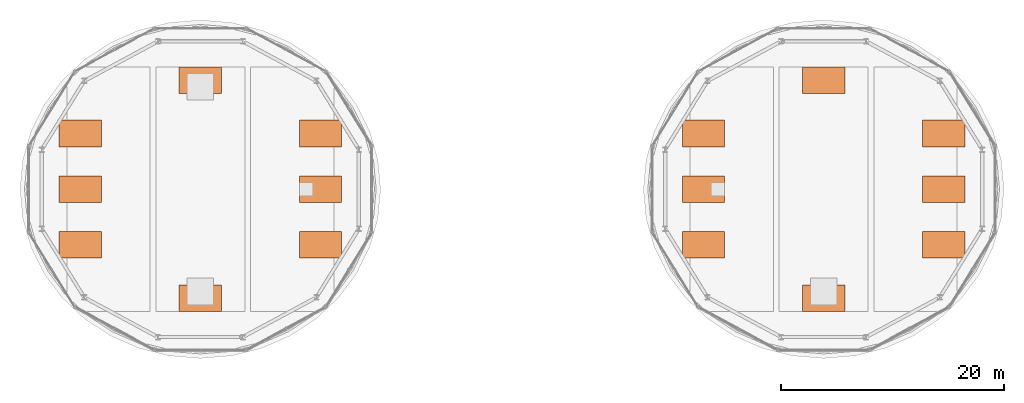
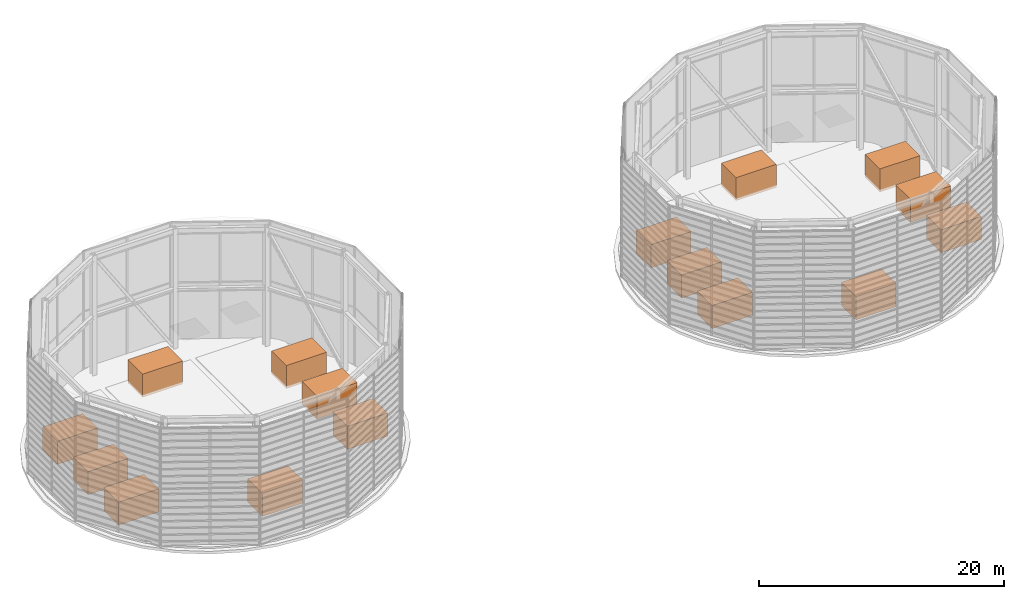
# One storey, part 17 of 17: 16 proxies.
"""IFC4 building model written with IfcOpenShell, lengths in metres."""

from ifc_helpers import new_model, si_unit, direction, frame, origin, origin_2d, place, context, subcontext, project, spatial, rectangle, extrude, source, transform, mapped, material, type_object, type_shapes, element, save


model = new_model("IFC4")

# Units and contexts
model_context = context("Model", 3, precision=1e-05, world=origin(), true_north=direction((0.0, 1.0)))
body_context = subcontext(model_context, "Body", "Model", "MODEL_VIEW")
ifc_project = project(units=[si_unit("LENGTHUNIT", "METRE"), si_unit("AREAUNIT", "SQUARE_METRE"), si_unit("VOLUMEUNIT", "CUBIC_METRE"), si_unit("PLANEANGLEUNIT", "RADIAN"), si_unit("MASSUNIT", "GRAM", prefix="KILO")], contexts=[model_context])

# Site, building, storey
site_placement = place(None, origin())
site = spatial("IfcSite", under=ifc_project, at=site_placement, CompositionType="ELEMENT")
building_placement = place(site_placement, origin())
building = spatial("IfcBuilding", under=site, at=building_placement, Name="Norrkilde Senior Care Towers", CompositionType="ELEMENT")
storey_placement = place(building_placement, frame((0.0, 0.0, 249.85009765625)))
storey = spatial("IfcBuildingStorey", under=building, at=storey_placement, Name="RF", CompositionType="ELEMENT", Elevation=249.85009765625)

# Proxies
ifc_material = material(Name="Steel S355", Category="steel")
building_element_proxy_type = type_object("IfcBuildingElementProxyType", Name="Rooftop Mechanical Plant Unit", PredefinedType="USERDEFINED", material=ifc_material)
shared_shape = source(origin(), body_context, "Body", "SweptSolid", [
    extrude(rectangle(XDim=3.800048828125, YDim=2.39990234375, at=origin_2d()), origin(), (0.0, 0.0, 1.0), 2.300048828125),
])
type_shapes(building_element_proxy_type, [shared_shape])
for number, where, z_axis, x_axis, name in (
    (1, (-38.800048828125, -5.0, 0.0), (0.0, 0.0, 1.0), (1.0, 0.0, 0.0), "RF Crown Heat-Recovery Chiller Unit W-01"),
    (2, (-38.800048828125, 0.0, 0.0), (0.0, 0.0, 1.0), (1.0, 0.0, 0.0), "RF Crown Heat-Recovery Chiller Unit W-02"),
    (3, (-38.800048828125, 5.0, 0.0), (0.0, 0.0, 1.0), (1.0, 0.0, 0.0), "RF Crown Heat-Recovery Chiller Unit W-03"),
    (4, (-17.199951171875, -5.0, 0.0), (0.0, 0.0, 1.0), (1.0, 0.0, 0.0), "RF Crown Heat-Recovery Chiller Unit W-04"),
    (5, (-17.199951171875, 0.0, 0.0), (0.0, 0.0, 1.0), (1.0, 0.0, 0.0), "RF Crown Heat-Recovery Chiller Unit W-05"),
    (6, (-17.199951171875, 5.0, 0.0), (0.0, 0.0, 1.0), (1.0, 0.0, 0.0), "RF Crown Heat-Recovery Chiller Unit W-06"),
    (7, (-28.0, -9.800048828125, 0.0), (0.0, 0.0, 1.0), (1.0, 0.0, 0.0), "RF Crown Heat-Recovery Chiller Unit W-07"),
    (8, (-28.0, 9.800048828125, 0.0), (0.0, 0.0, 1.0), (1.0, 0.0, 0.0), "RF Crown Heat-Recovery Chiller Unit W-08"),
    (9, (17.199951171875, -5.0, 0.0), (0.0, 0.0, 1.0), (1.0, 0.0, 0.0), "RF Crown Heat-Recovery Chiller Unit E-01"),
    (10, (17.199951171875, 0.0, 0.0), (0.0, 0.0, 1.0), (1.0, 0.0, 0.0), "RF Crown Heat-Recovery Chiller Unit E-02"),
    (11, (17.199951171875, 5.0, 0.0), (0.0, 0.0, 1.0), (1.0, 0.0, 0.0), "RF Crown Heat-Recovery Chiller Unit E-03"),
    (12, (38.800048828125, -5.0, 0.0), (0.0, 0.0, 1.0), (1.0, 0.0, 0.0), "RF Crown Heat-Recovery Chiller Unit E-04"),
    (13, (38.800048828125, 0.0, 0.0), (0.0, 0.0, 1.0), (1.0, 0.0, 0.0), "RF Crown Heat-Recovery Chiller Unit E-05"),
    (14, (38.800048828125, 5.0, 0.0), (0.0, 0.0, 1.0), (1.0, 0.0, 0.0), "RF Crown Heat-Recovery Chiller Unit E-06"),
    (15, (28.0, -9.800048828125, 0.0), (0.0, 0.0, 1.0), (1.0, 0.0, 0.0), "RF Crown Heat-Recovery Chiller Unit E-07"),
    (16, (28.0, 9.800048828125, 0.0), (0.0, 0.0, 1.0), (1.0, 0.0, 0.0), "RF Crown Heat-Recovery Chiller Unit E-08"),
):
    element("IfcBuildingElementProxy", number, at=place(storey_placement, frame(where, z_axis=z_axis, x_axis=x_axis)), inside=storey, type_object=building_element_proxy_type, Name=name, ObjectType="PLANT", PredefinedType="USERDEFINED", context=body_context, shape_type="MappedRepresentation", body=[
        mapped(shared_shape, transform((0.0, 0.0, 0.0), x_axis=(1.0, 0.0, 0.0), y_axis=(0.0, 1.0, 0.0), z_axis=(0.0, 0.0, 1.0), scale=1.0)),
    ])

save(model, "model.ifc")
